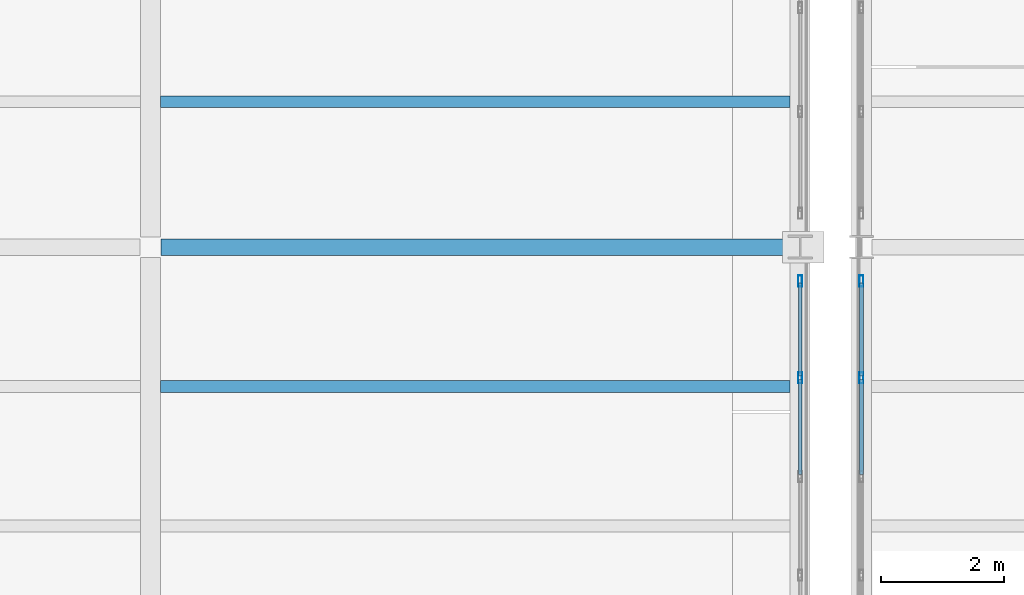
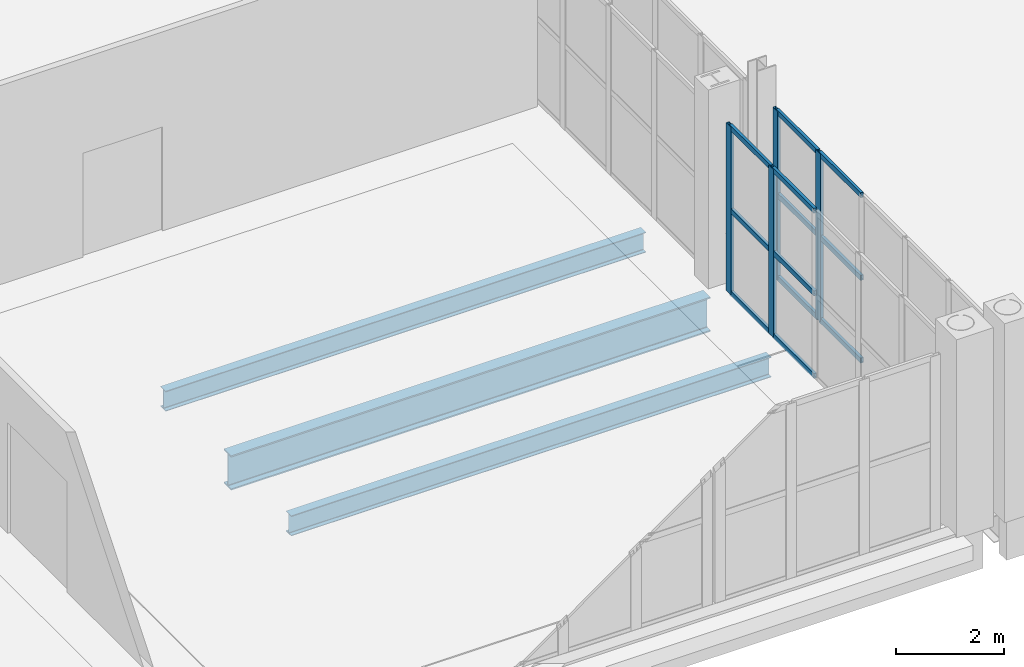
# One storey, part 33 of 156: 16 members, 3 beams, 2 elements without a shape of their own.
"""IFC4 building model written with IfcOpenShell, lengths in metres."""

import ifcopenshell
import ifcopenshell.guid

model = None  # the IFC model being written
_history = None  # IfcOwnerHistory: only IFC2X3 demands one
_inside = {}  # id of a spatial element -> (the spatial element, [elements in it])
_under = {}  # id of a project, library or spatial element -> (it, [spatial elements below it])
_declared = {}  # id of a project -> (the project, [libraries it declares])
_typed = {}  # id of a type object -> (the type object, [elements of that type])
_made_of = {}  # id of a material, layer set ... -> (it, [elements and type objects made of it])


def new_model(schema):
    """Start an empty IFC model of exactly this schema.

    Asked for "IFC4X3", IfcOpenShell would pick the latest addendum, in which some entities
    have other attributes; the version numbers below select the first issue.
    IFC2X3 requires an IfcOwnerHistory on every rooted entity: one is made here for all.
    """
    global model, _history
    if schema == "IFC4X3":
        model = ifcopenshell.file(schema_version=(4, 3, 0, 0))
    else:
        model = ifcopenshell.file(schema=schema)
    _inside.clear()
    _under.clear()
    _declared.clear()
    _typed.clear()
    _made_of.clear()
    _history = None
    if model.schema == "IFC2X3":
        org = make("IfcOrganization", Name="unknown")
        user = make(
            "IfcPersonAndOrganization",
            ThePerson=make("IfcPerson", FamilyName="unknown"),
            TheOrganization=org,
        )
        app = make(
            "IfcApplication",
            ApplicationDeveloper=org,
            Version="unknown",
            ApplicationFullName="unknown",
            ApplicationIdentifier="unknown",
        )
        _history = make(
            "IfcOwnerHistory",
            OwningUser=user,
            OwningApplication=app,
            ChangeAction="ADDED",
            CreationDate=0,
        )
    return model


def make(cls, **values):
    """One entity of the class cls with the attributes given. An attribute that is None is left unset."""
    return model.create_entity(
        cls, **{name: value for name, value in values.items() if value is not None}
    )


def rooted(cls, **values):
    """An entity with a GlobalId (a new one), such as an element, a storey or a relation."""
    return make(cls, GlobalId=ifcopenshell.guid.new(), OwnerHistory=_history, **values)


def si_unit(unit_type, name, prefix=None):
    """IfcSIUnit, for example si_unit("LENGTHUNIT", "METRE", prefix="MILLI")."""
    return make("IfcSIUnit", UnitType=unit_type, Prefix=prefix, Name=name)


def assignment(units):
    """IfcUnitAssignment: the units of a project."""
    return None if units is None else make("IfcUnitAssignment", Units=units)


def point(xyz):
    """IfcCartesianPoint."""
    return None if xyz is None else make("IfcCartesianPoint", Coordinates=xyz)


def direction(xyz):
    """IfcDirection."""
    return None if xyz is None else make("IfcDirection", DirectionRatios=xyz)


def frame(location, z_axis=None, x_axis=None):
    """IfcAxis2Placement3D, a coordinate frame: its origin and axes. An axis left out is left unset."""
    return make(
        "IfcAxis2Placement3D",
        Location=point(location),
        Axis=direction(z_axis),
        RefDirection=direction(x_axis),
    )


def frame_2d(location, x_axis=None):
    """IfcAxis2Placement2D, a coordinate frame in the plane: its origin and x axis."""
    return make(
        "IfcAxis2Placement2D", Location=point(location), RefDirection=direction(x_axis)
    )


def origin():
    """The frame at (0, 0, 0) with its axes left unset."""
    return frame((0.0, 0.0, 0.0))


def origin_2d():
    """The frame at (0, 0) in the plane with its x axis left unset."""
    return frame_2d((0.0, 0.0))


def place(relative_to, where):
    """IfcLocalPlacement: puts the frame where relative to a parent placement (None: the world)."""
    return make(
        "IfcLocalPlacement", PlacementRelTo=relative_to, RelativePlacement=where
    )


def context(
    kind, dimensions, precision=None, world=None, true_north=None, identifier=None
):
    """IfcGeometricRepresentationContext, for example the 3D "Model" context."""
    return make(
        "IfcGeometricRepresentationContext",
        ContextIdentifier=identifier,
        ContextType=kind,
        CoordinateSpaceDimension=dimensions,
        Precision=precision,
        WorldCoordinateSystem=world,
        TrueNorth=true_north,
    )


def subcontext(parent, identifier, kind, view, scale=None):
    """IfcGeometricRepresentationSubContext, for example "Body" below "Model"."""
    return make(
        "IfcGeometricRepresentationSubContext",
        ContextIdentifier=identifier,
        ContextType=kind,
        ParentContext=parent,
        TargetScale=scale,
        TargetView=view,
    )


def project(units=None, contexts=None):
    """IfcProject with its units and contexts."""
    return rooted(
        "IfcProject",
        Name="project",
        RepresentationContexts=contexts,
        UnitsInContext=assignment(units),
    )


def spatial(cls, under=None, at=None, **own):
    """A site, building, storey or space (cls), placed at a placement, below another one or the project."""
    s = rooted(cls, ObjectPlacement=at, **own)
    if under is not None:
        _under.setdefault(under.id(), (under, []))[1].append(s)
    return s


def profile(cls, at=None, kind="AREA", **sizes):
    """A parametric profile (cls). Its sizes go by their IFC names, for example OverallWidth=200.0."""
    return make(cls, ProfileType=kind, Position=at, **sizes)


def hollow_rectangle(**sizes):
    """IfcRectangleHollowProfileDef."""
    return profile("IfcRectangleHollowProfileDef", **sizes)


def i_section(**sizes):
    """IfcIShapeProfileDef."""
    return profile("IfcIShapeProfileDef", **sizes)


def extrude(swept, where, along, depth):
    """IfcExtrudedAreaSolid: the profile swept, set in the frame where, extruded along a direction by depth."""
    return make(
        "IfcExtrudedAreaSolid",
        SweptArea=swept,
        Position=where,
        ExtrudedDirection=direction(along),
        Depth=depth,
    )


def shape(context_of_items, identifier, shape_type, items):
    """IfcShapeRepresentation: the items that make up one representation, for example the "Body"."""
    return make(
        "IfcShapeRepresentation",
        ContextOfItems=context_of_items,
        RepresentationIdentifier=identifier,
        RepresentationType=shape_type,
        Items=items,
    )


def material(Name=None, Category=None):
    """IfcMaterial."""
    return make("IfcMaterial", Name=Name, Category=Category)


def material_profile(
    of_material, cross_section, Name=None, Category=None, Priority=None
):
    """IfcMaterialProfile: a cross section and its material."""
    return make(
        "IfcMaterialProfile",
        Name=Name,
        Material=of_material,
        Profile=cross_section,
        Priority=Priority,
        Category=Category,
    )


def profile_set(profiles, Name=None, composite=None):
    """IfcMaterialProfileSet."""
    return make(
        "IfcMaterialProfileSet",
        Name=Name,
        MaterialProfiles=profiles,
        CompositeProfile=composite,
    )


def made_of(thing, what):
    """Note that an element or type object is made of a material, layer set ...; save() writes the relation."""
    if what is not None:
        _made_of.setdefault(what.id(), (what, []))[1].append(thing)
    return thing


def type_object(cls, material=None, **own):
    """A type object (cls), such as IfcWallType, which elements share."""
    return made_of(rooted(cls, **own), material)


def element(
    cls,
    number,
    at=None,
    inside=None,
    cuts=None,
    type_object=None,
    material=None,
    context=None,
    identifier="Body",
    shape_type=None,
    held_by="IfcProductDefinitionShape",
    body=None,
    shapes=None,
    **own,
):
    """One element of the class cls, such as IfcWall. Its Tag is "e" and its number.

    at: its placement. inside: the storey or other place that contains it. cuts: it is an
    opening in that element (IfcRelVoidsElement). A single representation is given by context,
    identifier, shape_type and body (its items); several are given by shapes. held_by: the class
    of the entity that holds the representations. save() writes the other relations.
    """
    e = rooted(cls, Tag="e%d" % number, ObjectPlacement=at, **own)
    if body is not None:
        shapes = [shape(context, identifier, shape_type, body)]
    if shapes is not None:
        e.Representation = make(held_by, Representations=shapes)
    if inside is not None:
        _inside.setdefault(inside.id(), (inside, []))[1].append(e)
    if cuts is not None:
        rooted(
            "IfcRelVoidsElement", RelatingBuildingElement=cuts, RelatedOpeningElement=e
        )
    if type_object is not None:
        _typed.setdefault(type_object.id(), (type_object, []))[1].append(e)
    return made_of(e, material)


def aggregate(whole, parts):
    """IfcRelAggregates: a whole, such as a stair, and the parts it consists of."""
    return rooted("IfcRelAggregates", RelatingObject=whole, RelatedObjects=parts)


def save(model, path):
    """Write the relations noted so far, then the file.

    IfcRelAggregates (storeys below a building ...), IfcRelContainedInSpatialStructure (elements
    in a storey), IfcRelDefinesByType, IfcRelAssociatesMaterial and IfcRelDeclares: one each for
    every whole, place, type object, material and project.
    """
    for whole, parts in _under.values():
        aggregate(whole, parts)
    for where, things in _inside.values():
        rooted(
            "IfcRelContainedInSpatialStructure",
            RelatedElements=things,
            RelatingStructure=where,
        )
    for kind, things in _typed.values():
        rooted("IfcRelDefinesByType", RelatedObjects=things, RelatingType=kind)
    for what, things in _made_of.values():
        rooted("IfcRelAssociatesMaterial", RelatedObjects=things, RelatingMaterial=what)
    for by, libraries in _declared.values():
        rooted("IfcRelDeclares", RelatingContext=by, RelatedDefinitions=libraries)
    model.write(path)


model = new_model("IFC4")

# Units and contexts
model_context = context("Model", 3, precision=1e-05, world=origin(), true_north=direction((0.0, 1.0)))
body_context = subcontext(model_context, "Body", "Model", "MODEL_VIEW")
ifc_project = project(units=[si_unit("LENGTHUNIT", "METRE"), si_unit("AREAUNIT", "SQUARE_METRE"), si_unit("VOLUMEUNIT", "CUBIC_METRE"), si_unit("PLANEANGLEUNIT", "RADIAN"), si_unit("MASSUNIT", "GRAM", prefix="KILO")], contexts=[model_context])

# Site, building, storey
site_placement = place(None, origin())
site = spatial("IfcSite", under=ifc_project, at=site_placement, CompositionType="ELEMENT")
building_placement = place(site_placement, origin())
building = spatial("IfcBuilding", under=site, at=building_placement, Name="Caurita Quay Ferry Terminal", CompositionType="ELEMENT")
storey_placement = place(building_placement, frame((0.0, 0.0, 5.39990234375)))
storey = spatial("IfcBuildingStorey", under=building, at=storey_placement, Name="L01", CompositionType="ELEMENT", Elevation=5.39990234375)

# Beams
ifc_material_1 = material(Name="Structural steel ASTM A992 Gr. 50", Category="steel")
ifc_material_profile_1 = material_profile(ifc_material_1, i_section(OverallWidth=0.2666015625, OverallDepth=0.77978515625, WebThickness=0.0166015625, FlangeThickness=0.030029296875, FilletRadius=0.01904296875, at=origin_2d()), Name="W30X148")
ifc_profile_set_1 = profile_set([ifc_material_profile_1], Name="Structural steel ASTM A992 Gr. 50")
beam_type_1 = type_object("IfcBeamType", Name="BM-GR-W30A", PredefinedType="BEAM", material=ifc_profile_set_1)
beam_placement = place(storey_placement, frame((77.17041015625, 43.699951171875, -0.689697265625), z_axis=(1.0, 0.0, 0.0), x_axis=(0.0, 1.0, 0.0)))
element("IfcBeam", 1, at=beam_placement, inside=storey, type_object=beam_type_1, Name="L01 Beam BM-V1-L01-X-772-437", PredefinedType="BEAM", context=body_context, shape_type="SweptSolid", body=[
    extrude(i_section(OverallWidth=0.2666015625, OverallDepth=0.77978515625, WebThickness=0.0166015625, FlangeThickness=0.030029296875, FilletRadius=0.01904296875, at=origin_2d()), origin(), (0.0, 0.0, 1.0), 10.2568359375),
])
ifc_material_profile_2 = material_profile(ifc_material_1, i_section(OverallWidth=0.1904296875, OverallDepth=0.457275390625, WebThickness=0.009033203125, FlangeThickness=0.014404296875, FilletRadius=0.0126953125, at=origin_2d()), Name="W18X50")
ifc_profile_set_2 = profile_set([ifc_material_profile_2], Name="Structural steel ASTM A992 Gr. 50")
beam_type_2 = type_object("IfcBeamType", Name="BM-JS-W18B", PredefinedType="JOIST", material=ifc_profile_set_2)
for number, where, z_axis, x_axis, name in (
    (2, (77.16259765625, 41.425048828125, -0.528564453125), (1.0, 0.0, 0.0), (0.0, 1.0, 0.0), "L01 Beam JS-V1-L01-072"),
    (3, (77.16259765625, 46.074951171875, -0.528564453125), (1.0, 0.0, 0.0), (0.0, 1.0, 0.0), "L01 Beam JS-V1-L01-073"),
):
    element("IfcBeam", number, at=place(storey_placement, frame(where, z_axis=z_axis, x_axis=x_axis)), inside=storey, type_object=beam_type_2, Name=name, PredefinedType="JOIST", context=body_context, shape_type="SweptSolid", body=[
        extrude(i_section(OverallWidth=0.1904296875, OverallDepth=0.457275390625, WebThickness=0.009033203125, FlangeThickness=0.014404296875, FilletRadius=0.0126953125, at=origin_2d()), origin(), (0.0, 0.0, 1.0), 10.27490234375),
    ])

# Curtain wall, members
ifc_material_2 = material(Name="Laminated solar-control insulated glass", Category="glass")
curtain_wall_type = type_object("IfcCurtainWallType", Name="CW-SYS-11", PredefinedType="NOTDEFINED", material=ifc_material_2)
curtain_wall_1_placement = place(storey_placement, origin())
curtain_wall_1 = element("IfcCurtainWall", 4, at=curtain_wall_1_placement, inside=storey, type_object=curtain_wall_type, Name="Concourse Gable Curtain Wall 080", PredefinedType="NOTDEFINED")
ifc_material_3 = material(Name="Anodized aluminium 6063-T6", Category="aluminium")
ifc_material_profile_3 = material_profile(ifc_material_3, hollow_rectangle(XDim=0.06494140625, YDim=0.179931640625, WallThickness=0.00390625, at=origin_2d()), Name="ALU-MUL-65X180")
ifc_profile_set_3 = profile_set([ifc_material_profile_3], Name="Anodized aluminium 6063-T6")
member_type_1 = type_object("IfcMemberType", Name="CW-MUL-180", PredefinedType="MULLION", material=ifc_profile_set_3)
member_1_placement = place(storey_placement, frame((87.60009765625, 41.568115234375, 0.0), z_axis=(0.0, 0.0, 1.0), x_axis=(-1.0, 0.0, 0.0)))
member_1 = element("IfcMember", 5, at=member_1_placement, type_object=member_type_1, Name="CW-GBL-080 Mullion 5", PredefinedType="MULLION", context=body_context, shape_type="SweptSolid", body=[
    extrude(hollow_rectangle(XDim=0.06494140625, YDim=0.179931640625, WallThickness=0.00390625, at=origin_2d()), origin(), (0.0, 0.0, 1.0), 3.800048828125),
])
member_2_placement = place(storey_placement, frame((87.60009765625, 43.1474609375, 0.0), z_axis=(0.0, 0.0, 1.0), x_axis=(-1.0, 0.0, 0.0)))
member_2 = element("IfcMember", 6, at=member_2_placement, type_object=member_type_1, Name="CW-GBL-080 Mullion 6", PredefinedType="MULLION", context=body_context, shape_type="SweptSolid", body=[
    extrude(hollow_rectangle(XDim=0.06494140625, YDim=0.179931640625, WallThickness=0.00390625, at=origin_2d()), origin(), (0.0, 0.0, 1.0), 3.800048828125),
])

curtain_wall_2_placement = place(storey_placement, origin())
curtain_wall_2 = element("IfcCurtainWall", 7, at=curtain_wall_2_placement, inside=storey, type_object=curtain_wall_type, Name="Concourse Gable Curtain Wall 083", PredefinedType="NOTDEFINED")
member_3_placement = place(storey_placement, frame((88.60009765625, 41.568115234375, 0.0), z_axis=(0.0, 0.0, 1.0), x_axis=(-1.0, 0.0, 0.0)))
member_3 = element("IfcMember", 8, at=member_3_placement, type_object=member_type_1, Name="CW-GBL-083 Mullion 5", PredefinedType="MULLION", context=body_context, shape_type="SweptSolid", body=[
    extrude(hollow_rectangle(XDim=0.06494140625, YDim=0.179931640625, WallThickness=0.00390625, at=origin_2d()), origin(), (0.0, 0.0, 1.0), 3.800048828125),
])
member_4_placement = place(storey_placement, frame((88.60009765625, 43.1474609375, 0.0), z_axis=(0.0, 0.0, 1.0), x_axis=(-1.0, 0.0, 0.0)))
member_4 = element("IfcMember", 9, at=member_4_placement, type_object=member_type_1, Name="CW-GBL-083 Mullion 6", PredefinedType="MULLION", context=body_context, shape_type="SweptSolid", body=[
    extrude(hollow_rectangle(XDim=0.06494140625, YDim=0.179931640625, WallThickness=0.00390625, at=origin_2d()), origin(), (0.0, 0.0, 1.0), 3.800048828125),
])

# Member
ifc_material_profile_4 = material_profile(ifc_material_3, hollow_rectangle(XDim=0.06005859375, YDim=0.114990234375, WallThickness=0.00341796875, at=origin_2d()), Name="ALU-TRN-60X115")
ifc_profile_set_4 = profile_set([ifc_material_profile_4], Name="Anodized aluminium 6063-T6")
member_type_2 = type_object("IfcMemberType", Name="CW-TRN-115", PredefinedType="USERDEFINED", material=ifc_profile_set_4)
member_5_placement = place(storey_placement, frame((87.60009765625, 39.986572265625, 0.030029296875), z_axis=(0.0, 1.0, 0.0), x_axis=(-1.0, 0.0, 0.0)))
member_5 = element("IfcMember", 10, at=member_5_placement, type_object=member_type_2, Name="CW-GBL-080 Transom 10", ObjectType="TRANSOM", PredefinedType="USERDEFINED", context=body_context, shape_type="SweptSolid", body=[
    extrude(hollow_rectangle(XDim=0.06005859375, YDim=0.114990234375, WallThickness=0.00341796875, at=origin_2d()), origin(), (0.0, 0.0, 1.0), 1.551025390625),
])

member_6_placement = place(storey_placement, frame((87.60009765625, 39.986572265625, 1.900146484375), z_axis=(0.0, 1.0, 0.0), x_axis=(-1.0, 0.0, 0.0)))
member_6 = element("IfcMember", 11, at=member_6_placement, type_object=member_type_2, Name="CW-GBL-080 Transom 11", ObjectType="TRANSOM", PredefinedType="USERDEFINED", context=body_context, shape_type="SweptSolid", body=[
    extrude(hollow_rectangle(XDim=0.06005859375, YDim=0.114990234375, WallThickness=0.00341796875, at=origin_2d()), origin(), (0.0, 0.0, 1.0), 1.551025390625),
])

member_7_placement = place(storey_placement, frame((87.60009765625, 39.986572265625, 3.77001953125), z_axis=(0.0, 1.0, 0.0), x_axis=(-1.0, 0.0, 0.0)))
member_7 = element("IfcMember", 12, at=member_7_placement, type_object=member_type_2, Name="CW-GBL-080 Transom 12", ObjectType="TRANSOM", PredefinedType="USERDEFINED", context=body_context, shape_type="SweptSolid", body=[
    extrude(hollow_rectangle(XDim=0.06005859375, YDim=0.114990234375, WallThickness=0.00341796875, at=origin_2d()), origin(), (0.0, 0.0, 1.0), 1.551025390625),
])

member_8_placement = place(storey_placement, frame((87.60009765625, 41.598388671875, 0.030029296875), z_axis=(0.0, 1.0, 0.0), x_axis=(-1.0, 0.0, 0.0)))
member_8 = element("IfcMember", 13, at=member_8_placement, type_object=member_type_2, Name="CW-GBL-080 Transom 13", ObjectType="TRANSOM", PredefinedType="USERDEFINED", context=body_context, shape_type="SweptSolid", body=[
    extrude(hollow_rectangle(XDim=0.06005859375, YDim=0.114990234375, WallThickness=0.00341796875, at=origin_2d()), origin(), (0.0, 0.0, 1.0), 1.5185546875),
])

member_9_placement = place(storey_placement, frame((87.60009765625, 41.598388671875, 1.900146484375), z_axis=(0.0, 1.0, 0.0), x_axis=(-1.0, 0.0, 0.0)))
member_9 = element("IfcMember", 14, at=member_9_placement, type_object=member_type_2, Name="CW-GBL-080 Transom 14", ObjectType="TRANSOM", PredefinedType="USERDEFINED", context=body_context, shape_type="SweptSolid", body=[
    extrude(hollow_rectangle(XDim=0.06005859375, YDim=0.114990234375, WallThickness=0.00341796875, at=origin_2d()), origin(), (0.0, 0.0, 1.0), 1.5185546875),
])

member_10_placement = place(storey_placement, frame((87.60009765625, 41.598388671875, 3.77001953125), z_axis=(0.0, 1.0, 0.0), x_axis=(-1.0, 0.0, 0.0)))
member_10 = element("IfcMember", 15, at=member_10_placement, type_object=member_type_2, Name="CW-GBL-080 Transom 15", ObjectType="TRANSOM", PredefinedType="USERDEFINED", context=body_context, shape_type="SweptSolid", body=[
    extrude(hollow_rectangle(XDim=0.06005859375, YDim=0.114990234375, WallThickness=0.00341796875, at=origin_2d()), origin(), (0.0, 0.0, 1.0), 1.5185546875),
])

aggregate(curtain_wall_1, [member_1, member_2, member_5, member_6, member_7, member_8, member_9, member_10])

member_11_placement = place(storey_placement, frame((88.60009765625, 39.986572265625, 0.030029296875), z_axis=(0.0, 1.0, 0.0), x_axis=(-1.0, 0.0, 0.0)))
member_11 = element("IfcMember", 16, at=member_11_placement, type_object=member_type_2, Name="CW-GBL-083 Transom 10", ObjectType="TRANSOM", PredefinedType="USERDEFINED", context=body_context, shape_type="SweptSolid", body=[
    extrude(hollow_rectangle(XDim=0.06005859375, YDim=0.114990234375, WallThickness=0.00341796875, at=origin_2d()), origin(), (0.0, 0.0, 1.0), 1.551025390625),
])

member_12_placement = place(storey_placement, frame((88.60009765625, 39.986572265625, 1.900146484375), z_axis=(0.0, 1.0, 0.0), x_axis=(-1.0, 0.0, 0.0)))
member_12 = element("IfcMember", 17, at=member_12_placement, type_object=member_type_2, Name="CW-GBL-083 Transom 11", ObjectType="TRANSOM", PredefinedType="USERDEFINED", context=body_context, shape_type="SweptSolid", body=[
    extrude(hollow_rectangle(XDim=0.06005859375, YDim=0.114990234375, WallThickness=0.00341796875, at=origin_2d()), origin(), (0.0, 0.0, 1.0), 1.551025390625),
])

member_13_placement = place(storey_placement, frame((88.60009765625, 39.986572265625, 3.77001953125), z_axis=(0.0, 1.0, 0.0), x_axis=(-1.0, 0.0, 0.0)))
member_13 = element("IfcMember", 18, at=member_13_placement, type_object=member_type_2, Name="CW-GBL-083 Transom 12", ObjectType="TRANSOM", PredefinedType="USERDEFINED", context=body_context, shape_type="SweptSolid", body=[
    extrude(hollow_rectangle(XDim=0.06005859375, YDim=0.114990234375, WallThickness=0.00341796875, at=origin_2d()), origin(), (0.0, 0.0, 1.0), 1.551025390625),
])

member_14_placement = place(storey_placement, frame((88.60009765625, 41.598388671875, 0.030029296875), z_axis=(0.0, 1.0, 0.0), x_axis=(-1.0, 0.0, 0.0)))
member_14 = element("IfcMember", 19, at=member_14_placement, type_object=member_type_2, Name="CW-GBL-083 Transom 13", ObjectType="TRANSOM", PredefinedType="USERDEFINED", context=body_context, shape_type="SweptSolid", body=[
    extrude(hollow_rectangle(XDim=0.06005859375, YDim=0.114990234375, WallThickness=0.00341796875, at=origin_2d()), origin(), (0.0, 0.0, 1.0), 1.5185546875),
])

member_15_placement = place(storey_placement, frame((88.60009765625, 41.598388671875, 1.900146484375), z_axis=(0.0, 1.0, 0.0), x_axis=(-1.0, 0.0, 0.0)))
member_15 = element("IfcMember", 20, at=member_15_placement, type_object=member_type_2, Name="CW-GBL-083 Transom 14", ObjectType="TRANSOM", PredefinedType="USERDEFINED", context=body_context, shape_type="SweptSolid", body=[
    extrude(hollow_rectangle(XDim=0.06005859375, YDim=0.114990234375, WallThickness=0.00341796875, at=origin_2d()), origin(), (0.0, 0.0, 1.0), 1.5185546875),
])

member_16_placement = place(storey_placement, frame((88.60009765625, 41.598388671875, 3.77001953125), z_axis=(0.0, 1.0, 0.0), x_axis=(-1.0, 0.0, 0.0)))
member_16 = element("IfcMember", 21, at=member_16_placement, type_object=member_type_2, Name="CW-GBL-083 Transom 15", ObjectType="TRANSOM", PredefinedType="USERDEFINED", context=body_context, shape_type="SweptSolid", body=[
    extrude(hollow_rectangle(XDim=0.06005859375, YDim=0.114990234375, WallThickness=0.00341796875, at=origin_2d()), origin(), (0.0, 0.0, 1.0), 1.5185546875),
])

aggregate(curtain_wall_2, [member_3, member_4, member_11, member_12, member_13, member_14, member_15, member_16])

save(model, "model.ifc")
